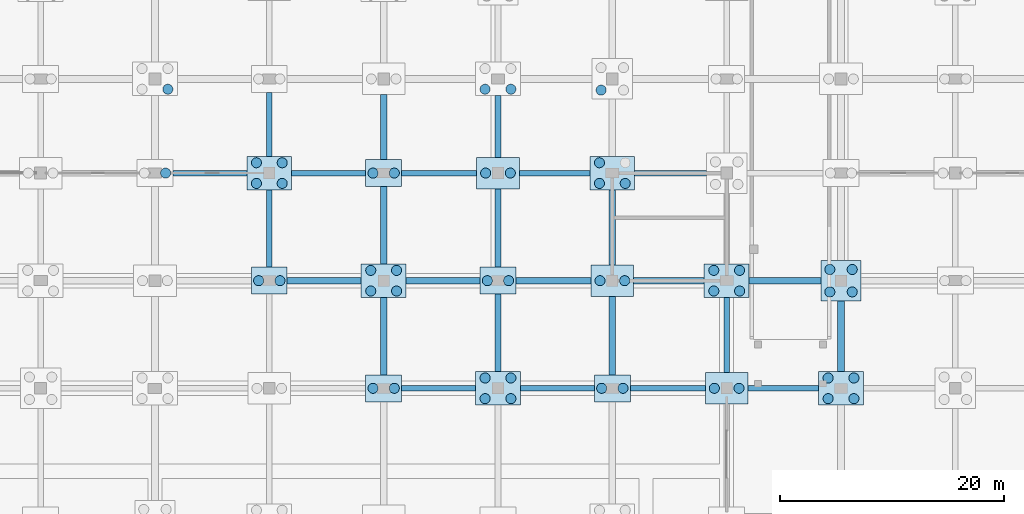
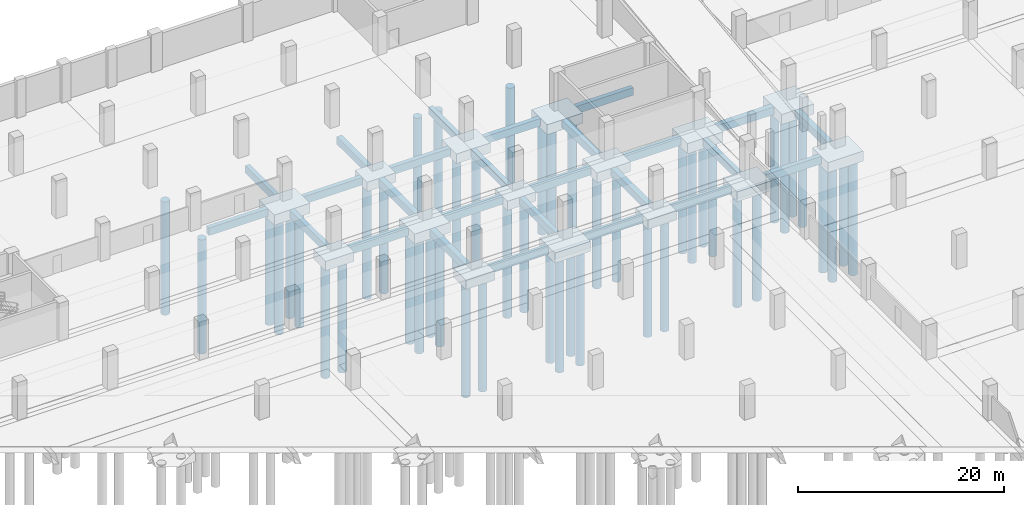
# One storey, part 9 of 52: 48 piles, 41 footings.
"""IFC4 building model written with IfcOpenShell, lengths in metres."""

import ifcopenshell
import ifcopenshell.guid

model = None  # the IFC model being written
_history = None  # IfcOwnerHistory: only IFC2X3 demands one
_inside = {}  # id of a spatial element -> (the spatial element, [elements in it])
_under = {}  # id of a project, library or spatial element -> (it, [spatial elements below it])
_declared = {}  # id of a project -> (the project, [libraries it declares])
_typed = {}  # id of a type object -> (the type object, [elements of that type])
_made_of = {}  # id of a material, layer set ... -> (it, [elements and type objects made of it])


def new_model(schema):
    """Start an empty IFC model of exactly this schema.

    Asked for "IFC4X3", IfcOpenShell would pick the latest addendum, in which some entities
    have other attributes; the version numbers below select the first issue.
    IFC2X3 requires an IfcOwnerHistory on every rooted entity: one is made here for all.
    """
    global model, _history
    if schema == "IFC4X3":
        model = ifcopenshell.file(schema_version=(4, 3, 0, 0))
    else:
        model = ifcopenshell.file(schema=schema)
    _inside.clear()
    _under.clear()
    _declared.clear()
    _typed.clear()
    _made_of.clear()
    _history = None
    if model.schema == "IFC2X3":
        org = make("IfcOrganization", Name="unknown")
        user = make(
            "IfcPersonAndOrganization",
            ThePerson=make("IfcPerson", FamilyName="unknown"),
            TheOrganization=org,
        )
        app = make(
            "IfcApplication",
            ApplicationDeveloper=org,
            Version="unknown",
            ApplicationFullName="unknown",
            ApplicationIdentifier="unknown",
        )
        _history = make(
            "IfcOwnerHistory",
            OwningUser=user,
            OwningApplication=app,
            ChangeAction="ADDED",
            CreationDate=0,
        )
    return model


def make(cls, **values):
    """One entity of the class cls with the attributes given. An attribute that is None is left unset."""
    return model.create_entity(
        cls, **{name: value for name, value in values.items() if value is not None}
    )


def rooted(cls, **values):
    """An entity with a GlobalId (a new one), such as an element, a storey or a relation."""
    return make(cls, GlobalId=ifcopenshell.guid.new(), OwnerHistory=_history, **values)


def si_unit(unit_type, name, prefix=None):
    """IfcSIUnit, for example si_unit("LENGTHUNIT", "METRE", prefix="MILLI")."""
    return make("IfcSIUnit", UnitType=unit_type, Prefix=prefix, Name=name)


def assignment(units):
    """IfcUnitAssignment: the units of a project."""
    return None if units is None else make("IfcUnitAssignment", Units=units)


def point(xyz):
    """IfcCartesianPoint."""
    return None if xyz is None else make("IfcCartesianPoint", Coordinates=xyz)


def direction(xyz):
    """IfcDirection."""
    return None if xyz is None else make("IfcDirection", DirectionRatios=xyz)


def frame(location, z_axis=None, x_axis=None):
    """IfcAxis2Placement3D, a coordinate frame: its origin and axes. An axis left out is left unset."""
    return make(
        "IfcAxis2Placement3D",
        Location=point(location),
        Axis=direction(z_axis),
        RefDirection=direction(x_axis),
    )


def frame_2d(location, x_axis=None):
    """IfcAxis2Placement2D, a coordinate frame in the plane: its origin and x axis."""
    return make(
        "IfcAxis2Placement2D", Location=point(location), RefDirection=direction(x_axis)
    )


def origin():
    """The frame at (0, 0, 0) with its axes left unset."""
    return frame((0.0, 0.0, 0.0))


def origin_2d():
    """The frame at (0, 0) in the plane with its x axis left unset."""
    return frame_2d((0.0, 0.0))


def place(relative_to, where):
    """IfcLocalPlacement: puts the frame where relative to a parent placement (None: the world)."""
    return make(
        "IfcLocalPlacement", PlacementRelTo=relative_to, RelativePlacement=where
    )


def context(
    kind, dimensions, precision=None, world=None, true_north=None, identifier=None
):
    """IfcGeometricRepresentationContext, for example the 3D "Model" context."""
    return make(
        "IfcGeometricRepresentationContext",
        ContextIdentifier=identifier,
        ContextType=kind,
        CoordinateSpaceDimension=dimensions,
        Precision=precision,
        WorldCoordinateSystem=world,
        TrueNorth=true_north,
    )


def subcontext(parent, identifier, kind, view, scale=None):
    """IfcGeometricRepresentationSubContext, for example "Body" below "Model"."""
    return make(
        "IfcGeometricRepresentationSubContext",
        ContextIdentifier=identifier,
        ContextType=kind,
        ParentContext=parent,
        TargetScale=scale,
        TargetView=view,
    )


def project(units=None, contexts=None):
    """IfcProject with its units and contexts."""
    return rooted(
        "IfcProject",
        Name="project",
        RepresentationContexts=contexts,
        UnitsInContext=assignment(units),
    )


def spatial(cls, under=None, at=None, **own):
    """A site, building, storey or space (cls), placed at a placement, below another one or the project."""
    s = rooted(cls, ObjectPlacement=at, **own)
    if under is not None:
        _under.setdefault(under.id(), (under, []))[1].append(s)
    return s


def polyline(points):
    """IfcPolyline through the points."""
    return make("IfcPolyline", Points=[point(p) for p in points])


def profile(cls, at=None, kind="AREA", **sizes):
    """A parametric profile (cls). Its sizes go by their IFC names, for example OverallWidth=200.0."""
    return make(cls, ProfileType=kind, Position=at, **sizes)


def rectangle(**sizes):
    """IfcRectangleProfileDef."""
    return profile("IfcRectangleProfileDef", **sizes)


def circle(**sizes):
    """IfcCircleProfileDef."""
    return profile("IfcCircleProfileDef", **sizes)


def outline(outer, holes=None, kind="AREA"):
    """IfcArbitraryClosedProfileDef: a profile drawn as a closed curve; with holes, ...WithVoids."""
    if holes is None:
        return make("IfcArbitraryClosedProfileDef", ProfileType=kind, OuterCurve=outer)
    return make(
        "IfcArbitraryProfileDefWithVoids",
        ProfileType=kind,
        OuterCurve=outer,
        InnerCurves=holes,
    )


def extrude(swept, where, along, depth):
    """IfcExtrudedAreaSolid: the profile swept, set in the frame where, extruded along a direction by depth."""
    return make(
        "IfcExtrudedAreaSolid",
        SweptArea=swept,
        Position=where,
        ExtrudedDirection=direction(along),
        Depth=depth,
    )


def shape(context_of_items, identifier, shape_type, items):
    """IfcShapeRepresentation: the items that make up one representation, for example the "Body"."""
    return make(
        "IfcShapeRepresentation",
        ContextOfItems=context_of_items,
        RepresentationIdentifier=identifier,
        RepresentationType=shape_type,
        Items=items,
    )


def material(Name=None, Category=None):
    """IfcMaterial."""
    return make("IfcMaterial", Name=Name, Category=Category)


def material_profile(
    of_material, cross_section, Name=None, Category=None, Priority=None
):
    """IfcMaterialProfile: a cross section and its material."""
    return make(
        "IfcMaterialProfile",
        Name=Name,
        Material=of_material,
        Profile=cross_section,
        Priority=Priority,
        Category=Category,
    )


def profile_set(profiles, Name=None, composite=None):
    """IfcMaterialProfileSet."""
    return make(
        "IfcMaterialProfileSet",
        Name=Name,
        MaterialProfiles=profiles,
        CompositeProfile=composite,
    )


def made_of(thing, what):
    """Note that an element or type object is made of a material, layer set ...; save() writes the relation."""
    if what is not None:
        _made_of.setdefault(what.id(), (what, []))[1].append(thing)
    return thing


def type_object(cls, material=None, **own):
    """A type object (cls), such as IfcWallType, which elements share."""
    return made_of(rooted(cls, **own), material)


def element(
    cls,
    number,
    at=None,
    inside=None,
    cuts=None,
    type_object=None,
    material=None,
    context=None,
    identifier="Body",
    shape_type=None,
    held_by="IfcProductDefinitionShape",
    body=None,
    shapes=None,
    **own,
):
    """One element of the class cls, such as IfcWall. Its Tag is "e" and its number.

    at: its placement. inside: the storey or other place that contains it. cuts: it is an
    opening in that element (IfcRelVoidsElement). A single representation is given by context,
    identifier, shape_type and body (its items); several are given by shapes. held_by: the class
    of the entity that holds the representations. save() writes the other relations.
    """
    e = rooted(cls, Tag="e%d" % number, ObjectPlacement=at, **own)
    if body is not None:
        shapes = [shape(context, identifier, shape_type, body)]
    if shapes is not None:
        e.Representation = make(held_by, Representations=shapes)
    if inside is not None:
        _inside.setdefault(inside.id(), (inside, []))[1].append(e)
    if cuts is not None:
        rooted(
            "IfcRelVoidsElement", RelatingBuildingElement=cuts, RelatedOpeningElement=e
        )
    if type_object is not None:
        _typed.setdefault(type_object.id(), (type_object, []))[1].append(e)
    return made_of(e, material)


def aggregate(whole, parts):
    """IfcRelAggregates: a whole, such as a stair, and the parts it consists of."""
    return rooted("IfcRelAggregates", RelatingObject=whole, RelatedObjects=parts)


def save(model, path):
    """Write the relations noted so far, then the file.

    IfcRelAggregates (storeys below a building ...), IfcRelContainedInSpatialStructure (elements
    in a storey), IfcRelDefinesByType, IfcRelAssociatesMaterial and IfcRelDeclares: one each for
    every whole, place, type object, material and project.
    """
    for whole, parts in _under.values():
        aggregate(whole, parts)
    for where, things in _inside.values():
        rooted(
            "IfcRelContainedInSpatialStructure",
            RelatedElements=things,
            RelatingStructure=where,
        )
    for kind, things in _typed.values():
        rooted("IfcRelDefinesByType", RelatedObjects=things, RelatingType=kind)
    for what, things in _made_of.values():
        rooted("IfcRelAssociatesMaterial", RelatedObjects=things, RelatingMaterial=what)
    for by, libraries in _declared.values():
        rooted("IfcRelDeclares", RelatingContext=by, RelatedDefinitions=libraries)
    model.write(path)


model = new_model("IFC4")

# Units and contexts
model_context = context("Model", 3, precision=1e-05, world=origin(), true_north=direction((0.0, 1.0)))
body_context = subcontext(model_context, "Body", "Model", "MODEL_VIEW")
ifc_project = project(units=[si_unit("LENGTHUNIT", "METRE"), si_unit("AREAUNIT", "SQUARE_METRE"), si_unit("VOLUMEUNIT", "CUBIC_METRE"), si_unit("PLANEANGLEUNIT", "RADIAN"), si_unit("MASSUNIT", "GRAM", prefix="KILO")], contexts=[model_context])

# Site, building, storey
site_placement = place(None, origin())
site = spatial("IfcSite", under=ifc_project, at=site_placement, CompositionType="ELEMENT")
building_placement = place(site_placement, origin())
building = spatial("IfcBuilding", under=site, at=building_placement, Name="Brelvane Convention Centre", CompositionType="ELEMENT")
storey_placement = place(building_placement, frame((0.0, 0.0, -4.5)))
storey = spatial("IfcBuildingStorey", under=building, at=storey_placement, Name="B1", CompositionType="ELEMENT", Elevation=-4.5)

# Piles
ifc_material_1 = material(Name="Concrete M40", Category="concrete")
ifc_material_profile_1 = material_profile(ifc_material_1, circle(Radius=0.449951171875, at=origin_2d()), Name="PILE D900")
ifc_profile_set_1 = profile_set([ifc_material_profile_1], Name="Concrete M40")
pile_type = type_object("IfcPileType", Name="Bored Pile PL-900", PredefinedType="BORED", material=ifc_profile_set_1)
pile_1_placement = place(storey_placement, frame((62.14990234375, 118.800048828125, -1.449951171875), z_axis=(0.0, 0.0, -1.0), x_axis=(1.0, 0.0, 0.0)))
element("IfcPile", 1, at=pile_1_placement, inside=storey, type_object=pile_type, Name="Bored Pile PL-900 7-M-2", PredefinedType="BORED", context=body_context, shape_type="SweptSolid", body=[
    extrude(circle(Radius=0.449951171875, at=origin_2d()), origin(), (0.0, 0.0, 1.0), 13.550048828125),
])
pile_2_placement = place(storey_placement, frame((62.35009765625, 126.280029296875, -1.550048828125), z_axis=(0.0, 0.0, -1.0), x_axis=(1.0, 0.0, 0.0)))
element("IfcPile", 2, at=pile_2_placement, inside=storey, type_object=pile_type, Name="Bored Pile PL-900 7-N-2", PredefinedType="BORED", context=body_context, shape_type="SweptSolid", body=[
    extrude(circle(Radius=0.449951171875, at=origin_2d()), origin(), (0.0, 0.0, 1.0), 13.449951171875),
])
for number, where, z_axis, x_axis, name in (
    (3, (70.449951171875, 109.199951171875, -1.449951171875), (0.0, 0.0, -1.0), (1.0, 0.0, 0.0), "Bored Pile PL-900 8-L-1"),
    (4, (72.35009765625, 109.199951171875, -1.449951171875), (0.0, 0.0, -1.0), (1.0, 0.0, 0.0), "Bored Pile PL-900 8-L-2"),
):
    element("IfcPile", number, at=place(storey_placement, frame(where, z_axis=z_axis, x_axis=x_axis)), inside=storey, type_object=pile_type, Name=name, PredefinedType="BORED", context=body_context, shape_type="SweptSolid", body=[
        extrude(circle(Radius=0.449951171875, at=origin_2d()), origin(), (0.0, 0.0, 1.0), 13.550048828125),
    ])
for number, where, z_axis, x_axis, name in (
    (5, (70.25, 117.8798828125, -1.550048828125), (0.0, 0.0, -1.0), (1.0, 0.0, 0.0), "Bored Pile PL-900 8-M-1"),
    (6, (72.550048828125, 117.8798828125, -1.550048828125), (0.0, 0.0, -1.0), (1.0, 0.0, 0.0), "Bored Pile PL-900 8-M-2"),
    (7, (70.25, 119.719970703125, -1.550048828125), (0.0, 0.0, -1.0), (1.0, 0.0, 0.0), "Bored Pile PL-900 8-M-3"),
    (8, (72.550048828125, 119.719970703125, -1.550048828125), (0.0, 0.0, -1.0), (1.0, 0.0, 0.0), "Bored Pile PL-900 8-M-4"),
):
    element("IfcPile", number, at=place(storey_placement, frame(where, z_axis=z_axis, x_axis=x_axis)), inside=storey, type_object=pile_type, Name=name, PredefinedType="BORED", context=body_context, shape_type="SweptSolid", body=[
        extrude(circle(Radius=0.449951171875, at=origin_2d()), origin(), (0.0, 0.0, 1.0), 13.449951171875),
    ])
for number, where, z_axis, x_axis, name in (
    (9, (80.64990234375, 99.60009765625, -1.449951171875), (0.0, 0.0, -1.0), (1.0, 0.0, 0.0), "Bored Pile PL-900 9-K-1"),
    (10, (82.550048828125, 99.60009765625, -1.449951171875), (0.0, 0.0, -1.0), (1.0, 0.0, 0.0), "Bored Pile PL-900 9-K-2"),
):
    element("IfcPile", number, at=place(storey_placement, frame(where, z_axis=z_axis, x_axis=x_axis)), inside=storey, type_object=pile_type, Name=name, PredefinedType="BORED", context=body_context, shape_type="SweptSolid", body=[
        extrude(circle(Radius=0.449951171875, at=origin_2d()), origin(), (0.0, 0.0, 1.0), 13.550048828125),
    ])
for number, where, z_axis, x_axis, name in (
    (11, (80.449951171875, 108.280029296875, -1.550048828125), (0.0, 0.0, -1.0), (1.0, 0.0, 0.0), "Bored Pile PL-900 9-L-1"),
    (12, (82.75, 108.280029296875, -1.550048828125), (0.0, 0.0, -1.0), (1.0, 0.0, 0.0), "Bored Pile PL-900 9-L-2"),
    (13, (80.449951171875, 110.1201171875, -1.550048828125), (0.0, 0.0, -1.0), (1.0, 0.0, 0.0), "Bored Pile PL-900 9-L-3"),
    (14, (82.75, 110.1201171875, -1.550048828125), (0.0, 0.0, -1.0), (1.0, 0.0, 0.0), "Bored Pile PL-900 9-L-4"),
):
    element("IfcPile", number, at=place(storey_placement, frame(where, z_axis=z_axis, x_axis=x_axis)), inside=storey, type_object=pile_type, Name=name, PredefinedType="BORED", context=body_context, shape_type="SweptSolid", body=[
        extrude(circle(Radius=0.449951171875, at=origin_2d()), origin(), (0.0, 0.0, 1.0), 13.449951171875),
    ])
for number, where, z_axis, x_axis, name in (
    (15, (80.64990234375, 118.800048828125, -1.449951171875), (0.0, 0.0, -1.0), (1.0, 0.0, 0.0), "Bored Pile PL-900 9-M-1"),
    (16, (82.550048828125, 118.800048828125, -1.449951171875), (0.0, 0.0, -1.0), (1.0, 0.0, 0.0), "Bored Pile PL-900 9-M-2"),
):
    element("IfcPile", number, at=place(storey_placement, frame(where, z_axis=z_axis, x_axis=x_axis)), inside=storey, type_object=pile_type, Name=name, PredefinedType="BORED", context=body_context, shape_type="SweptSolid", body=[
        extrude(circle(Radius=0.449951171875, at=origin_2d()), origin(), (0.0, 0.0, 1.0), 13.550048828125),
    ])
for number, where, z_axis, x_axis, name in (
    (17, (90.64990234375, 98.679931640625, -1.550048828125), (0.0, 0.0, -1.0), (1.0, 0.0, 0.0), "Bored Pile PL-900 10-K-1"),
    (18, (92.949951171875, 98.679931640625, -1.550048828125), (0.0, 0.0, -1.0), (1.0, 0.0, 0.0), "Bored Pile PL-900 10-K-2"),
    (19, (90.64990234375, 100.52001953125, -1.550048828125), (0.0, 0.0, -1.0), (1.0, 0.0, 0.0), "Bored Pile PL-900 10-K-3"),
    (20, (92.949951171875, 100.52001953125, -1.550048828125), (0.0, 0.0, -1.0), (1.0, 0.0, 0.0), "Bored Pile PL-900 10-K-4"),
):
    element("IfcPile", number, at=place(storey_placement, frame(where, z_axis=z_axis, x_axis=x_axis)), inside=storey, type_object=pile_type, Name=name, PredefinedType="BORED", context=body_context, shape_type="SweptSolid", body=[
        extrude(circle(Radius=0.449951171875, at=origin_2d()), origin(), (0.0, 0.0, 1.0), 13.449951171875),
    ])
for number, where, z_axis, x_axis, name in (
    (21, (90.85009765625, 109.199951171875, -1.449951171875), (0.0, 0.0, -1.0), (1.0, 0.0, 0.0), "Bored Pile PL-900 10-L-1"),
    (22, (92.75, 109.199951171875, -1.449951171875), (0.0, 0.0, -1.0), (1.0, 0.0, 0.0), "Bored Pile PL-900 10-L-2"),
):
    element("IfcPile", number, at=place(storey_placement, frame(where, z_axis=z_axis, x_axis=x_axis)), inside=storey, type_object=pile_type, Name=name, PredefinedType="BORED", context=body_context, shape_type="SweptSolid", body=[
        extrude(circle(Radius=0.449951171875, at=origin_2d()), origin(), (0.0, 0.0, 1.0), 13.550048828125),
    ])
for number, where, z_axis, x_axis, name in (
    (23, (90.699951171875, 118.800048828125, -1.5), (0.0, 0.0, -1.0), (1.0, 0.0, 0.0), "Bored Pile PL-900 10-M-1"),
    (24, (92.89990234375, 118.800048828125, -1.5), (0.0, 0.0, -1.0), (1.0, 0.0, 0.0), "Bored Pile PL-900 10-M-2"),
):
    element("IfcPile", number, at=place(storey_placement, frame(where, z_axis=z_axis, x_axis=x_axis)), inside=storey, type_object=pile_type, Name=name, PredefinedType="BORED", context=body_context, shape_type="SweptSolid", body=[
        extrude(circle(Radius=0.449951171875, at=origin_2d()), origin(), (0.0, 0.0, 1.0), 13.5),
    ])
for number, where, z_axis, x_axis, name in (
    (25, (90.64990234375, 126.280029296875, -1.550048828125), (0.0, 0.0, -1.0), (1.0, 0.0, 0.0), "Bored Pile PL-900 10-N-1"),
    (26, (92.949951171875, 126.280029296875, -1.550048828125), (0.0, 0.0, -1.0), (1.0, 0.0, 0.0), "Bored Pile PL-900 10-N-2"),
):
    element("IfcPile", number, at=place(storey_placement, frame(where, z_axis=z_axis, x_axis=x_axis)), inside=storey, type_object=pile_type, Name=name, PredefinedType="BORED", context=body_context, shape_type="SweptSolid", body=[
        extrude(circle(Radius=0.449951171875, at=origin_2d()), origin(), (0.0, 0.0, 1.0), 13.449951171875),
    ])
for number, where, z_axis, x_axis, name in (
    (27, (101.050048828125, 99.60009765625, -1.449951171875), (0.0, 0.0, -1.0), (1.0, 0.0, 0.0), "Bored Pile PL-900 11-K-1"),
    (28, (102.949951171875, 99.60009765625, -1.449951171875), (0.0, 0.0, -1.0), (1.0, 0.0, 0.0), "Bored Pile PL-900 11-K-2"),
):
    element("IfcPile", number, at=place(storey_placement, frame(where, z_axis=z_axis, x_axis=x_axis)), inside=storey, type_object=pile_type, Name=name, PredefinedType="BORED", context=body_context, shape_type="SweptSolid", body=[
        extrude(circle(Radius=0.449951171875, at=origin_2d()), origin(), (0.0, 0.0, 1.0), 13.550048828125),
    ])
for number, where, z_axis, x_axis, name in (
    (29, (100.89990234375, 109.199951171875, -1.5), (0.0, 0.0, -1.0), (1.0, 0.0, 0.0), "Bored Pile PL-900 11-L-1"),
    (30, (103.10009765625, 109.199951171875, -1.5), (0.0, 0.0, -1.0), (1.0, 0.0, 0.0), "Bored Pile PL-900 11-L-2"),
):
    element("IfcPile", number, at=place(storey_placement, frame(where, z_axis=z_axis, x_axis=x_axis)), inside=storey, type_object=pile_type, Name=name, PredefinedType="BORED", context=body_context, shape_type="SweptSolid", body=[
        extrude(circle(Radius=0.449951171875, at=origin_2d()), origin(), (0.0, 0.0, 1.0), 13.5),
    ])
for number, where, z_axis, x_axis, name in (
    (31, (100.85009765625, 117.8798828125, -1.550048828125), (0.0, 0.0, -1.0), (1.0, 0.0, 0.0), "Bored Pile PL-900 11-M-1"),
    (32, (103.14990234375, 117.8798828125, -1.550048828125), (0.0, 0.0, -1.0), (1.0, 0.0, 0.0), "Bored Pile PL-900 11-M-2"),
    (33, (100.85009765625, 119.719970703125, -1.550048828125), (0.0, 0.0, -1.0), (1.0, 0.0, 0.0), "Bored Pile PL-900 11-M-3"),
    (34, (101.0, 126.199951171875, -1.550048828125), (0.0, 0.0, -1.0), (1.0, 0.0, 0.0), "Bored Pile PL-900 11-N-1"),
):
    element("IfcPile", number, at=place(storey_placement, frame(where, z_axis=z_axis, x_axis=x_axis)), inside=storey, type_object=pile_type, Name=name, PredefinedType="BORED", context=body_context, shape_type="SweptSolid", body=[
        extrude(circle(Radius=0.449951171875, at=origin_2d()), origin(), (0.0, 0.0, 1.0), 13.449951171875),
    ])
for number, where, z_axis, x_axis, name in (
    (35, (111.10009765625, 99.60009765625, -1.5), (0.0, 0.0, -1.0), (1.0, 0.0, 0.0), "Bored Pile PL-900 12-K-1"),
    (36, (113.300048828125, 99.60009765625, -1.5), (0.0, 0.0, -1.0), (1.0, 0.0, 0.0), "Bored Pile PL-900 12-K-2"),
):
    element("IfcPile", number, at=place(storey_placement, frame(where, z_axis=z_axis, x_axis=x_axis)), inside=storey, type_object=pile_type, Name=name, PredefinedType="BORED", context=body_context, shape_type="SweptSolid", body=[
        extrude(circle(Radius=0.449951171875, at=origin_2d()), origin(), (0.0, 0.0, 1.0), 13.5),
    ])
for number, where, z_axis, x_axis, name in (
    (37, (111.050048828125, 108.280029296875, -1.550048828125), (0.0, 0.0, -1.0), (1.0, 0.0, 0.0), "Bored Pile PL-900 12-L-1"),
    (38, (113.35009765625, 108.280029296875, -1.550048828125), (0.0, 0.0, -1.0), (1.0, 0.0, 0.0), "Bored Pile PL-900 12-L-2"),
    (39, (111.050048828125, 110.1201171875, -1.550048828125), (0.0, 0.0, -1.0), (1.0, 0.0, 0.0), "Bored Pile PL-900 12-L-3"),
    (40, (113.35009765625, 110.1201171875, -1.550048828125), (0.0, 0.0, -1.0), (1.0, 0.0, 0.0), "Bored Pile PL-900 12-L-4"),
    (41, (121.25, 98.679931640625, -1.550048828125), (0.0, 0.0, -1.0), (1.0, 0.0, 0.0), "Bored Pile PL-900 13-K-1"),
    (42, (123.550048828125, 98.679931640625, -1.550048828125), (0.0, 0.0, -1.0), (1.0, 0.0, 0.0), "Bored Pile PL-900 13-K-2"),
    (43, (121.25, 100.52001953125, -1.550048828125), (0.0, 0.0, -1.0), (1.0, 0.0, 0.0), "Bored Pile PL-900 13-K-3"),
    (44, (123.550048828125, 100.52001953125, -1.550048828125), (0.0, 0.0, -1.0), (1.0, 0.0, 0.0), "Bored Pile PL-900 13-K-4"),
    (45, (121.39990234375, 108.199951171875, -1.550048828125), (0.0, 0.0, -1.0), (1.0, 0.0, 0.0), "Bored Pile PL-900 13-L-1"),
    (46, (123.39990234375, 108.199951171875, -1.550048828125), (0.0, 0.0, -1.0), (1.0, 0.0, 0.0), "Bored Pile PL-900 13-L-2"),
    (47, (121.39990234375, 110.199951171875, -1.550048828125), (0.0, 0.0, -1.0), (1.0, 0.0, 0.0), "Bored Pile PL-900 13-L-3"),
    (48, (123.39990234375, 110.199951171875, -1.550048828125), (0.0, 0.0, -1.0), (1.0, 0.0, 0.0), "Bored Pile PL-900 13-L-4"),
):
    element("IfcPile", number, at=place(storey_placement, frame(where, z_axis=z_axis, x_axis=x_axis)), inside=storey, type_object=pile_type, Name=name, PredefinedType="BORED", context=body_context, shape_type="SweptSolid", body=[
        extrude(circle(Radius=0.449951171875, at=origin_2d()), origin(), (0.0, 0.0, 1.0), 13.449951171875),
    ])

# Footings
ifc_material_2 = material(Name="Concrete M40", Category="concrete")
ifc_material_profile_2 = material_profile(ifc_material_2, rectangle(XDim=0.60009765625, YDim=0.89990234375, at=origin_2d()), Name="RC 600x900")
ifc_profile_set_2 = profile_set([ifc_material_profile_2], Name="Concrete M40")
footing_type_1 = type_object("IfcFootingType", Name="Ground Tie Beam GB-1", PredefinedType="FOOTING_BEAM", material=ifc_profile_set_2)
footing_1_placement = place(storey_placement, frame((73.0, 109.199951171875, -0.89990234375), z_axis=(1.0, 0.0, 0.0), x_axis=(0.0, 1.0, 0.0)))
element("IfcFooting", 49, at=footing_1_placement, inside=storey, type_object=footing_type_1, Name="Ground Tie Beam GB-1 8-9/L", PredefinedType="FOOTING_BEAM", context=body_context, shape_type="SweptSolid", body=[
    extrude(rectangle(XDim=0.60009765625, YDim=0.89990234375, at=origin_2d()), origin(), (0.0, 0.0, 1.0), 6.60009765625),
])
footing_2_placement = place(storey_placement, frame((81.60009765625, 100.800048828125, -0.89990234375), z_axis=(0.0, 1.0, 0.0), x_axis=(-1.0, 0.0, 0.0)))
element("IfcFooting", 50, at=footing_2_placement, inside=storey, type_object=footing_type_1, Name="Ground Tie Beam GB-1 9/K-L", PredefinedType="FOOTING_BEAM", context=body_context, shape_type="SweptSolid", body=[
    extrude(rectangle(XDim=0.60009765625, YDim=0.89990234375, at=origin_2d()), origin(), (0.0, 0.0, 1.0), 6.89990234375),
])
footing_3_placement = place(storey_placement, frame((83.60009765625, 109.199951171875, -0.89990234375), z_axis=(1.0, 0.0, 0.0), x_axis=(0.0, 1.0, 0.0)))
element("IfcFooting", 51, at=footing_3_placement, inside=storey, type_object=footing_type_1, Name="Ground Tie Beam GB-1 9-10/L", PredefinedType="FOOTING_BEAM", context=body_context, shape_type="SweptSolid", body=[
    extrude(rectangle(XDim=0.60009765625, YDim=0.89990234375, at=origin_2d()), origin(), (0.0, 0.0, 1.0), 6.599853515625),
])
footing_4_placement = place(storey_placement, frame((81.60009765625, 110.699951171875, -0.89990234375), z_axis=(0.0, 1.0, 0.0), x_axis=(-1.0, 0.0, 0.0)))
element("IfcFooting", 52, at=footing_4_placement, inside=storey, type_object=footing_type_1, Name="Ground Tie Beam GB-1 9/L-M", PredefinedType="FOOTING_BEAM", context=body_context, shape_type="SweptSolid", body=[
    extrude(rectangle(XDim=0.60009765625, YDim=0.89990234375, at=origin_2d()), origin(), (0.0, 0.0, 1.0), 6.900146484375),
])
footing_5_placement = place(storey_placement, frame((81.60009765625, 120.0, -0.89990234375), z_axis=(0.0, 1.0, 0.0), x_axis=(-1.0, 0.0, 0.0)))
element("IfcFooting", 53, at=footing_5_placement, inside=storey, type_object=footing_type_1, Name="Ground Tie Beam GB-1 9/M-N", PredefinedType="FOOTING_BEAM", context=body_context, shape_type="SweptSolid", body=[
    extrude(rectangle(XDim=0.60009765625, YDim=0.89990234375, at=origin_2d()), origin(), (0.0, 0.0, 1.0), 5.800048828125),
])
footing_6_placement = place(storey_placement, frame((93.39990234375, 109.199951171875, -0.89990234375), z_axis=(1.0, 0.0, 0.0), x_axis=(0.0, 1.0, 0.0)))
element("IfcFooting", 54, at=footing_6_placement, inside=storey, type_object=footing_type_1, Name="Ground Tie Beam GB-1 10-11/L", PredefinedType="FOOTING_BEAM", context=body_context, shape_type="SweptSolid", body=[
    extrude(rectangle(XDim=0.60009765625, YDim=0.89990234375, at=origin_2d()), origin(), (0.0, 0.0, 1.0), 6.7001953125),
])
footing_7_placement = place(storey_placement, frame((102.0, 100.800048828125, -0.89990234375), z_axis=(0.0, 1.0, 0.0), x_axis=(-1.0, 0.0, 0.0)))
element("IfcFooting", 55, at=footing_7_placement, inside=storey, type_object=footing_type_1, Name="Ground Tie Beam GB-1 11/K-L", PredefinedType="FOOTING_BEAM", context=body_context, shape_type="SweptSolid", body=[
    extrude(rectangle(XDim=0.60009765625, YDim=0.89990234375, at=origin_2d()), origin(), (0.0, 0.0, 1.0), 7.0),
])
footing_8_placement = place(storey_placement, frame((103.89990234375, 109.199951171875, -0.89990234375), z_axis=(1.0, 0.0, 0.0), x_axis=(0.0, 1.0, 0.0)))
element("IfcFooting", 56, at=footing_8_placement, inside=storey, type_object=footing_type_1, Name="Ground Tie Beam GB-1 11-12/L", PredefinedType="FOOTING_BEAM", context=body_context, shape_type="SweptSolid", body=[
    extrude(rectangle(XDim=0.60009765625, YDim=0.89990234375, at=origin_2d()), origin(), (0.0, 0.0, 1.0), 6.300048828125),
])
footing_9_placement = place(storey_placement, frame((102.0, 110.60009765625, -0.89990234375), z_axis=(0.0, 1.0, 0.0), x_axis=(-1.0, 0.0, 0.0)))
element("IfcFooting", 57, at=footing_9_placement, inside=storey, type_object=footing_type_1, Name="Ground Tie Beam GB-1 11/L-M", PredefinedType="FOOTING_BEAM", context=body_context, shape_type="SweptSolid", body=[
    extrude(rectangle(XDim=0.60009765625, YDim=0.89990234375, at=origin_2d()), origin(), (0.0, 0.0, 1.0), 6.699951171875),
])
footing_10_placement = place(storey_placement, frame((114.199951171875, 109.199951171875, -0.89990234375), z_axis=(1.0, 0.0, 0.0), x_axis=(0.0, 1.0, 0.0)))
element("IfcFooting", 58, at=footing_10_placement, inside=storey, type_object=footing_type_1, Name="Ground Tie Beam GB-1 12-13/L", PredefinedType="FOOTING_BEAM", context=body_context, shape_type="SweptSolid", body=[
    extrude(rectangle(XDim=0.60009765625, YDim=0.89990234375, at=origin_2d()), origin(), (0.0, 0.0, 1.0), 6.400146484375),
])
footing_11_placement = place(storey_placement, frame((122.39990234375, 101.10009765625, -0.89990234375), z_axis=(0.0, 1.0, 0.0), x_axis=(-1.0, 0.0, 0.0)))
element("IfcFooting", 59, at=footing_11_placement, inside=storey, type_object=footing_type_1, Name="Ground Tie Beam GB-1 13/K-L", PredefinedType="FOOTING_BEAM", context=body_context, shape_type="SweptSolid", body=[
    extrude(rectangle(XDim=0.60009765625, YDim=0.89990234375, at=origin_2d()), origin(), (0.0, 0.0, 1.0), 6.2998046875),
])
ifc_material_3 = material(Name="Concrete M40", Category="concrete")
ifc_material_profile_3 = material_profile(ifc_material_3, rectangle(XDim=0.5, YDim=0.89990234375, at=origin_2d()), Name="RC 500x900")
ifc_profile_set_3 = profile_set([ifc_material_profile_3], Name="Concrete M40")
footing_type_2 = type_object("IfcFootingType", Name="Ground Tie Beam GB-2", PredefinedType="FOOTING_BEAM", material=ifc_profile_set_3)
footing_12_placement = place(storey_placement, frame((62.800048828125, 118.800048828125, -0.89990234375), z_axis=(1.0, 0.0, 0.0), x_axis=(0.0, 1.0, 0.0)))
element("IfcFooting", 60, at=footing_12_placement, inside=storey, type_object=footing_type_2, Name="Ground Tie Beam GB-2 7-8/M", PredefinedType="FOOTING_BEAM", context=body_context, shape_type="SweptSolid", body=[
    extrude(rectangle(XDim=0.5, YDim=0.89990234375, at=origin_2d()), origin(), (0.0, 0.0, 1.0), 6.599853515625),
])
footing_13_placement = place(storey_placement, frame((71.39990234375, 110.39990234375, -0.89990234375), z_axis=(0.0, 1.0, 0.0), x_axis=(-1.0, 0.0, 0.0)))
element("IfcFooting", 61, at=footing_13_placement, inside=storey, type_object=footing_type_2, Name="Ground Tie Beam GB-2 8/L-M", PredefinedType="FOOTING_BEAM", context=body_context, shape_type="SweptSolid", body=[
    extrude(rectangle(XDim=0.5, YDim=0.89990234375, at=origin_2d()), origin(), (0.0, 0.0, 1.0), 6.900146484375),
])
footing_14_placement = place(storey_placement, frame((73.39990234375, 118.800048828125, -0.89990234375), z_axis=(1.0, 0.0, 0.0), x_axis=(0.0, 1.0, 0.0)))
element("IfcFooting", 62, at=footing_14_placement, inside=storey, type_object=footing_type_2, Name="Ground Tie Beam GB-2 8-9/M", PredefinedType="FOOTING_BEAM", context=body_context, shape_type="SweptSolid", body=[
    extrude(rectangle(XDim=0.5, YDim=0.89990234375, at=origin_2d()), origin(), (0.0, 0.0, 1.0), 6.60009765625),
])
footing_15_placement = place(storey_placement, frame((71.39990234375, 120.300048828125, -0.89990234375), z_axis=(0.0, 1.0, 0.0), x_axis=(-1.0, 0.0, 0.0)))
element("IfcFooting", 63, at=footing_15_placement, inside=storey, type_object=footing_type_2, Name="Ground Tie Beam GB-2 8/M-N", PredefinedType="FOOTING_BEAM", context=body_context, shape_type="SweptSolid", body=[
    extrude(rectangle(XDim=0.5, YDim=0.89990234375, at=origin_2d()), origin(), (0.0, 0.0, 1.0), 5.699951171875),
])
footing_16_placement = place(storey_placement, frame((83.199951171875, 99.60009765625, -0.89990234375), z_axis=(1.0, 0.0, 0.0), x_axis=(0.0, 1.0, 0.0)))
element("IfcFooting", 64, at=footing_16_placement, inside=storey, type_object=footing_type_2, Name="Ground Tie Beam GB-2 9-10/K", PredefinedType="FOOTING_BEAM", context=body_context, shape_type="SweptSolid", body=[
    extrude(rectangle(XDim=0.5, YDim=0.89990234375, at=origin_2d()), origin(), (0.0, 0.0, 1.0), 6.60009765625),
])
footing_17_placement = place(storey_placement, frame((83.199951171875, 118.800048828125, -0.89990234375), z_axis=(1.0, 0.0, 0.0), x_axis=(0.0, 1.0, 0.0)))
element("IfcFooting", 65, at=footing_17_placement, inside=storey, type_object=footing_type_2, Name="Ground Tie Beam GB-2 9-10/M", PredefinedType="FOOTING_BEAM", context=body_context, shape_type="SweptSolid", body=[
    extrude(rectangle(XDim=0.5, YDim=0.89990234375, at=origin_2d()), origin(), (0.0, 0.0, 1.0), 6.699951171875),
])
footing_18_placement = place(storey_placement, frame((93.800048828125, 99.60009765625, -0.89990234375), z_axis=(1.0, 0.0, 0.0), x_axis=(0.0, 1.0, 0.0)))
element("IfcFooting", 66, at=footing_18_placement, inside=storey, type_object=footing_type_2, Name="Ground Tie Beam GB-2 10-11/K", PredefinedType="FOOTING_BEAM", context=body_context, shape_type="SweptSolid", body=[
    extrude(rectangle(XDim=0.5, YDim=0.89990234375, at=origin_2d()), origin(), (0.0, 0.0, 1.0), 6.599853515625),
])
footing_19_placement = place(storey_placement, frame((91.800048828125, 101.10009765625, -0.89990234375), z_axis=(0.0, 1.0, 0.0), x_axis=(-1.0, 0.0, 0.0)))
element("IfcFooting", 67, at=footing_19_placement, inside=storey, type_object=footing_type_2, Name="Ground Tie Beam GB-2 10/K-L", PredefinedType="FOOTING_BEAM", context=body_context, shape_type="SweptSolid", body=[
    extrude(rectangle(XDim=0.5, YDim=0.89990234375, at=origin_2d()), origin(), (0.0, 0.0, 1.0), 6.89990234375),
])
footing_20_placement = place(storey_placement, frame((91.800048828125, 110.39990234375, -0.89990234375), z_axis=(0.0, 1.0, 0.0), x_axis=(-1.0, 0.0, 0.0)))
element("IfcFooting", 68, at=footing_20_placement, inside=storey, type_object=footing_type_2, Name="Ground Tie Beam GB-2 10/L-M", PredefinedType="FOOTING_BEAM", context=body_context, shape_type="SweptSolid", body=[
    extrude(rectangle(XDim=0.5, YDim=0.89990234375, at=origin_2d()), origin(), (0.0, 0.0, 1.0), 7.0),
])
footing_21_placement = place(storey_placement, frame((93.699951171875, 118.800048828125, -0.89990234375), z_axis=(1.0, 0.0, 0.0), x_axis=(0.0, 1.0, 0.0)))
element("IfcFooting", 69, at=footing_21_placement, inside=storey, type_object=footing_type_2, Name="Ground Tie Beam GB-2 10-11/M", PredefinedType="FOOTING_BEAM", context=body_context, shape_type="SweptSolid", body=[
    extrude(rectangle(XDim=0.5, YDim=0.89990234375, at=origin_2d()), origin(), (0.0, 0.0, 1.0), 6.300048828125),
])
footing_22_placement = place(storey_placement, frame((91.800048828125, 120.199951171875, -0.89990234375), z_axis=(0.0, 1.0, 0.0), x_axis=(-1.0, 0.0, 0.0)))
element("IfcFooting", 70, at=footing_22_placement, inside=storey, type_object=footing_type_2, Name="Ground Tie Beam GB-2 10/M-N", PredefinedType="FOOTING_BEAM", context=body_context, shape_type="SweptSolid", body=[
    extrude(rectangle(XDim=0.5, YDim=0.89990234375, at=origin_2d()), origin(), (0.0, 0.0, 1.0), 5.5),
])
footing_23_placement = place(storey_placement, frame((103.60009765625, 99.60009765625, -0.89990234375), z_axis=(1.0, 0.0, 0.0), x_axis=(0.0, 1.0, 0.0)))
element("IfcFooting", 71, at=footing_23_placement, inside=storey, type_object=footing_type_2, Name="Ground Tie Beam GB-2 11-12/K", PredefinedType="FOOTING_BEAM", context=body_context, shape_type="SweptSolid", body=[
    extrude(rectangle(XDim=0.5, YDim=0.89990234375, at=origin_2d()), origin(), (0.0, 0.0, 1.0), 6.699951171875),
])
footing_24_placement = place(storey_placement, frame((104.0, 118.800048828125, -0.89990234375), z_axis=(1.0, 0.0, 0.0), x_axis=(0.0, 1.0, 0.0)))
element("IfcFooting", 72, at=footing_24_placement, inside=storey, type_object=footing_type_2, Name="Ground Tie Beam GB-2 11-12/M", PredefinedType="FOOTING_BEAM", context=body_context, shape_type="SweptSolid", body=[
    extrude(rectangle(XDim=0.5, YDim=0.89990234375, at=origin_2d()), origin(), (0.0, 0.0, 1.0), 6.39990234375),
])
footing_25_placement = place(storey_placement, frame((114.10009765625, 99.60009765625, -0.89990234375), z_axis=(1.0, 0.0, 0.0), x_axis=(0.0, 1.0, 0.0)))
element("IfcFooting", 73, at=footing_25_placement, inside=storey, type_object=footing_type_2, Name="Ground Tie Beam GB-2 12-13/K", PredefinedType="FOOTING_BEAM", context=body_context, shape_type="SweptSolid", body=[
    extrude(rectangle(XDim=0.5, YDim=0.89990234375, at=origin_2d()), origin(), (0.0, 0.0, 1.0), 6.2998046875),
])
footing_26_placement = place(storey_placement, frame((112.199951171875, 101.0, -0.89990234375), z_axis=(0.0, 1.0, 0.0), x_axis=(-1.0, 0.0, 0.0)))
element("IfcFooting", 74, at=footing_26_placement, inside=storey, type_object=footing_type_2, Name="Ground Tie Beam GB-2 12/K-L", PredefinedType="FOOTING_BEAM", context=body_context, shape_type="SweptSolid", body=[
    extrude(rectangle(XDim=0.5, YDim=0.89990234375, at=origin_2d()), origin(), (0.0, 0.0, 1.0), 6.699951171875),
])
ifc_material_4 = material(Name="Concrete M40", Category="concrete")
footing_type_3 = type_object("IfcFootingType", Name="Pile Cap PC-2", PredefinedType="PILE_CAP", material=ifc_material_4)
footing_27_placement = place(storey_placement, frame((0.0, 0.0, -1.550048828125)))
element("IfcFooting", 75, at=footing_27_placement, inside=storey, type_object=footing_type_3, Name="Pile Cap PC-2 at 8-L", PredefinedType="PILE_CAP", context=body_context, shape_type="SweptSolid", body=[
    extrude(outline(polyline([(69.800048828125, 108.0), (73.0, 108.0), (73.0, 110.39990234375), (69.800048828125, 110.39990234375), (69.800048828125, 108.0)])), origin(), (0.0, 0.0, 1.0), 1.10009765625),
])
footing_28_placement = place(storey_placement, frame((0.0, 0.0, -1.550048828125)))
element("IfcFooting", 76, at=footing_28_placement, inside=storey, type_object=footing_type_3, Name="Pile Cap PC-2 at 9-K", PredefinedType="PILE_CAP", context=body_context, shape_type="SweptSolid", body=[
    extrude(outline(polyline([(80.0, 98.39990234375), (83.199951171875, 98.39990234375), (83.199951171875, 100.800048828125), (80.0, 100.800048828125), (80.0, 98.39990234375)])), origin(), (0.0, 0.0, 1.0), 1.10009765625),
])
footing_29_placement = place(storey_placement, frame((0.0, 0.0, -1.550048828125)))
element("IfcFooting", 77, at=footing_29_placement, inside=storey, type_object=footing_type_3, Name="Pile Cap PC-2 at 9-M", PredefinedType="PILE_CAP", context=body_context, shape_type="SweptSolid", body=[
    extrude(outline(polyline([(80.0, 117.60009765625), (83.199951171875, 117.60009765625), (83.199951171875, 120.0), (80.0, 120.0), (80.0, 117.60009765625)])), origin(), (0.0, 0.0, 1.0), 1.10009765625),
])
footing_30_placement = place(storey_placement, frame((0.0, 0.0, -1.550048828125)))
element("IfcFooting", 78, at=footing_30_placement, inside=storey, type_object=footing_type_3, Name="Pile Cap PC-2 at 10-L", PredefinedType="PILE_CAP", context=body_context, shape_type="SweptSolid", body=[
    extrude(outline(polyline([(90.199951171875, 108.0), (93.39990234375, 108.0), (93.39990234375, 110.39990234375), (90.199951171875, 110.39990234375), (90.199951171875, 108.0)])), origin(), (0.0, 0.0, 1.0), 1.10009765625),
])
footing_31_placement = place(storey_placement, frame((0.0, 0.0, -1.550048828125)))
element("IfcFooting", 79, at=footing_31_placement, inside=storey, type_object=footing_type_3, Name="Pile Cap PC-2 at 11-K", PredefinedType="PILE_CAP", context=body_context, shape_type="SweptSolid", body=[
    extrude(outline(polyline([(100.39990234375, 98.39990234375), (103.60009765625, 98.39990234375), (103.60009765625, 100.800048828125), (100.39990234375, 100.800048828125), (100.39990234375, 98.39990234375)])), origin(), (0.0, 0.0, 1.0), 1.10009765625),
])
ifc_material_5 = material(Name="Concrete M40", Category="concrete")
footing_type_4 = type_object("IfcFootingType", Name="Pile Cap PC-3", PredefinedType="PILE_CAP", material=ifc_material_5)
footing_32_placement = place(storey_placement, frame((0.0, 0.0, -1.64990234375)))
element("IfcFooting", 80, at=footing_32_placement, inside=storey, type_object=footing_type_4, Name="Pile Cap PC-3 at 13-L", PredefinedType="PILE_CAP", context=body_context, shape_type="SweptSolid", body=[
    extrude(outline(polyline([(120.60009765625, 107.39990234375), (124.199951171875, 107.39990234375), (124.199951171875, 111.0), (120.60009765625, 111.0), (120.60009765625, 107.39990234375)])), origin(), (0.0, 0.0, 1.0), 1.199951171875),
])
ifc_material_6 = material(Name="Concrete M40", Category="concrete")
footing_type_5 = type_object("IfcFootingType", Name="Pile Cap PC-4", PredefinedType="PILE_CAP", material=ifc_material_6)
footing_33_placement = place(storey_placement, frame((0.0, 0.0, -1.64990234375)))
element("IfcFooting", 81, at=footing_33_placement, inside=storey, type_object=footing_type_5, Name="Pile Cap PC-4 at 8-M", PredefinedType="PILE_CAP", context=body_context, shape_type="SweptSolid", body=[
    extrude(outline(polyline([(69.39990234375, 117.300048828125), (73.39990234375, 117.300048828125), (73.39990234375, 120.300048828125), (69.39990234375, 120.300048828125), (69.39990234375, 117.300048828125)])), origin(), (0.0, 0.0, 1.0), 1.199951171875),
])
footing_34_placement = place(storey_placement, frame((0.0, 0.0, -1.64990234375)))
element("IfcFooting", 82, at=footing_34_placement, inside=storey, type_object=footing_type_5, Name="Pile Cap PC-4 at 9-L", PredefinedType="PILE_CAP", context=body_context, shape_type="SweptSolid", body=[
    extrude(outline(polyline([(79.60009765625, 107.699951171875), (83.60009765625, 107.699951171875), (83.60009765625, 110.699951171875), (79.60009765625, 110.699951171875), (79.60009765625, 107.699951171875)])), origin(), (0.0, 0.0, 1.0), 1.199951171875),
])
footing_35_placement = place(storey_placement, frame((0.0, 0.0, -1.64990234375)))
element("IfcFooting", 83, at=footing_35_placement, inside=storey, type_object=footing_type_5, Name="Pile Cap PC-4 at 10-K", PredefinedType="PILE_CAP", context=body_context, shape_type="SweptSolid", body=[
    extrude(outline(polyline([(89.800048828125, 98.10009765625), (93.800048828125, 98.10009765625), (93.800048828125, 101.10009765625), (89.800048828125, 101.10009765625), (89.800048828125, 98.10009765625)])), origin(), (0.0, 0.0, 1.0), 1.199951171875),
])
footing_36_placement = place(storey_placement, frame((0.0, 0.0, -1.64990234375)))
element("IfcFooting", 84, at=footing_36_placement, inside=storey, type_object=footing_type_5, Name="Pile Cap PC-4 at 11-M", PredefinedType="PILE_CAP", context=body_context, shape_type="SweptSolid", body=[
    extrude(outline(polyline([(100.0, 117.300048828125), (104.0, 117.300048828125), (104.0, 120.300048828125), (100.0, 120.300048828125), (100.0, 117.300048828125)])), origin(), (0.0, 0.0, 1.0), 1.199951171875),
])
footing_37_placement = place(storey_placement, frame((0.0, 0.0, -1.64990234375)))
element("IfcFooting", 85, at=footing_37_placement, inside=storey, type_object=footing_type_5, Name="Pile Cap PC-4 at 12-L", PredefinedType="PILE_CAP", context=body_context, shape_type="SweptSolid", body=[
    extrude(outline(polyline([(110.199951171875, 107.699951171875), (114.199951171875, 107.699951171875), (114.199951171875, 110.699951171875), (110.199951171875, 110.699951171875), (110.199951171875, 107.699951171875)])), origin(), (0.0, 0.0, 1.0), 1.199951171875),
])
footing_38_placement = place(storey_placement, frame((0.0, 0.0, -1.64990234375)))
element("IfcFooting", 86, at=footing_38_placement, inside=storey, type_object=footing_type_5, Name="Pile Cap PC-4 at 13-K", PredefinedType="PILE_CAP", context=body_context, shape_type="SweptSolid", body=[
    extrude(outline(polyline([(120.39990234375, 98.10009765625), (124.39990234375, 98.10009765625), (124.39990234375, 101.10009765625), (120.39990234375, 101.10009765625), (120.39990234375, 98.10009765625)])), origin(), (0.0, 0.0, 1.0), 1.199951171875),
])
ifc_material_7 = material(Name="Concrete M40", Category="concrete")
footing_type_6 = type_object("IfcFootingType", Name="Pile Cap PC-9", PredefinedType="PILE_CAP", material=ifc_material_7)
footing_39_placement = place(storey_placement, frame((0.0, 0.0, -1.60009765625)))
element("IfcFooting", 87, at=footing_39_placement, inside=storey, type_object=footing_type_6, Name="Pile Cap PC-9 at 10-M", PredefinedType="PILE_CAP", context=body_context, shape_type="SweptSolid", body=[
    extrude(outline(polyline([(89.89990234375, 117.39990234375), (93.699951171875, 117.39990234375), (93.699951171875, 120.199951171875), (89.89990234375, 120.199951171875), (89.89990234375, 117.39990234375)])), origin(), (0.0, 0.0, 1.0), 1.150146484375),
])
footing_40_placement = place(storey_placement, frame((0.0, 0.0, -1.60009765625)))
element("IfcFooting", 88, at=footing_40_placement, inside=storey, type_object=footing_type_6, Name="Pile Cap PC-9 at 11-L", PredefinedType="PILE_CAP", context=body_context, shape_type="SweptSolid", body=[
    extrude(outline(polyline([(100.10009765625, 107.800048828125), (103.89990234375, 107.800048828125), (103.89990234375, 110.60009765625), (100.10009765625, 110.60009765625), (100.10009765625, 107.800048828125)])), origin(), (0.0, 0.0, 1.0), 1.150146484375),
])
footing_41_placement = place(storey_placement, frame((0.0, 0.0, -1.60009765625)))
element("IfcFooting", 89, at=footing_41_placement, inside=storey, type_object=footing_type_6, Name="Pile Cap PC-9 at 12-K", PredefinedType="PILE_CAP", context=body_context, shape_type="SweptSolid", body=[
    extrude(outline(polyline([(110.300048828125, 98.199951171875), (114.10009765625, 98.199951171875), (114.10009765625, 101.0), (110.300048828125, 101.0), (110.300048828125, 98.199951171875)])), origin(), (0.0, 0.0, 1.0), 1.150146484375),
])

save(model, "model.ifc")
